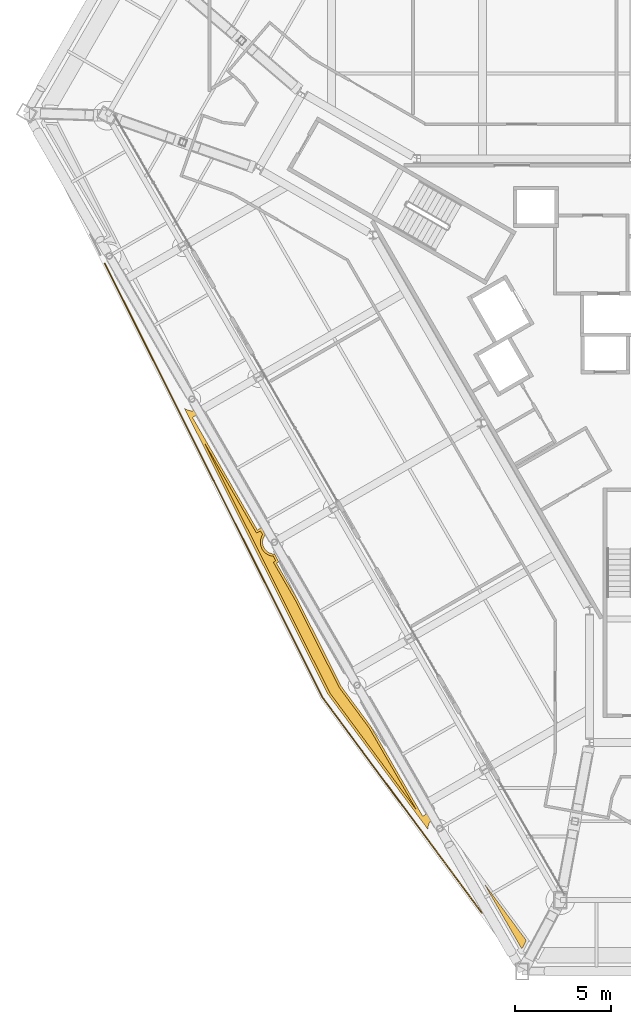
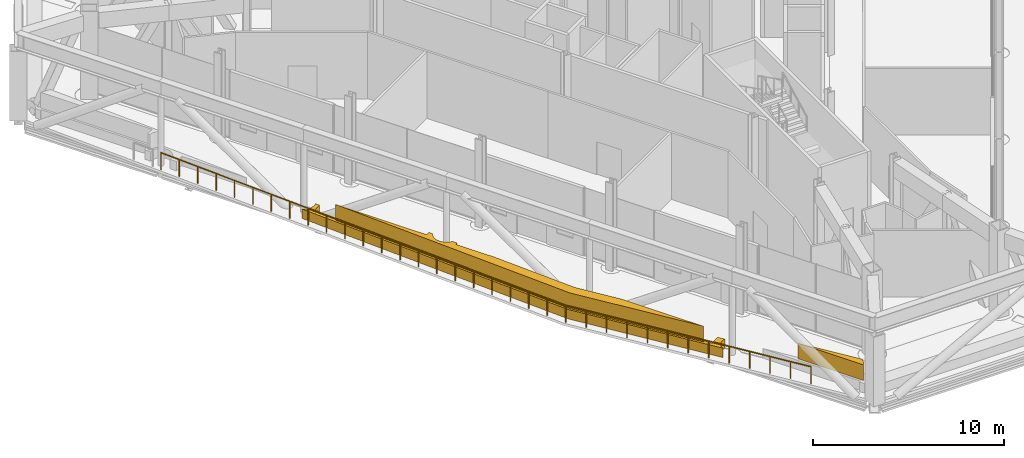
# One storey, part 21 of 26: 3 coverings, 1 railing.
"""IFC4 building model written with IfcOpenShell, lengths in metres."""

from ifc_helpers import new_model, si_unit, direction, frame, origin, origin_2d, place, context, subcontext, project, spatial, polyline, circle, outline, extrude, material, type_object, element, save


model = new_model("IFC4")

# Units and contexts
model_context = context("Model", 3, precision=1e-05, world=origin(), true_north=direction((0.0, 1.0)))
body_context = subcontext(model_context, "Body", "Model", "MODEL_VIEW")
ifc_project = project(units=[si_unit("LENGTHUNIT", "METRE"), si_unit("AREAUNIT", "SQUARE_METRE"), si_unit("VOLUMEUNIT", "CUBIC_METRE"), si_unit("PLANEANGLEUNIT", "RADIAN"), si_unit("MASSUNIT", "GRAM", prefix="KILO")], contexts=[model_context])

# Site, building, storey
site_placement = place(None, origin())
site = spatial("IfcSite", under=ifc_project, at=site_placement, CompositionType="ELEMENT")
building_placement = place(site_placement, origin())
building = spatial("IfcBuilding", under=site, at=building_placement, Name="Verrane Prism Tower", CompositionType="ELEMENT")
storey_placement = place(building_placement, frame((0.0, 0.0, 87.199951171875)))
storey = spatial("IfcBuildingStorey", under=building, at=storey_placement, Name="L20", CompositionType="ELEMENT", Elevation=87.199951171875)

# Coverings
ifc_material_1 = material(Name="Planting medium in stone kerb", Category="masonry")
covering_type_1 = type_object("IfcCoveringType", Name="Planter bed 600", PredefinedType="USERDEFINED", material=ifc_material_1)
covering_1_placement = place(storey_placement, origin())
element("IfcCovering", 1, at=covering_1_placement, inside=storey, type_object=covering_type_1, Name="Planter bed L20 5", ObjectType="PLANTER", PredefinedType="USERDEFINED", context=body_context, shape_type="SweptSolid", body=[
    extrude(outline(polyline([(-15.970703125, -18.77490234375), (-10.739501953125, -25.849609375), (-10.74267578125, -25.7900390625), (-10.739501953125, -25.72998046875), (-10.730712890625, -25.67041015625), (-10.71630859375, -25.6123046875), (-10.69580078125, -25.5556640625), (-10.670166015625, -25.501220703125), (-10.639404296875, -25.44970703125), (-10.603515625, -25.4013671875), (-10.56298828125, -25.35693359375), (-10.5185546875, -25.31640625), (-10.47021484375, -25.28076171875), (-10.418701171875, -25.249755859375), (-10.364501953125, -25.22412109375), (-10.307861328125, -25.203857421875), (-10.24951171875, -25.189208984375), (-10.234619140625, -25.18701171875), (-10.489013671875, -24.843017578125), (-11.01953125, -25.1494140625), (-13.72119140625, -20.4716796875), (-15.28662109375, -18.3544921875), (-17.535400390625, -13.87353515625), (-18.659423828125, -11.93017578125), (-18.544189453125, -11.863525390625), (-18.7509765625, -11.45166015625), (-18.77001953125, -11.45263671875), (-18.830078125, -11.44970703125), (-18.889404296875, -11.44091796875), (-18.94775390625, -11.42626953125), (-19.00439453125, -11.406005859375), (-19.058837890625, -11.380126953125), (-19.1103515625, -11.349365234375), (-19.15869140625, -11.3134765625), (-19.203125, -11.273193359375), (-19.243408203125, -11.228515625), (-19.279296875, -11.180419921875), (-19.310302734375, -11.12890625), (-19.3359375, -11.074462890625), (-19.356201171875, -11.017822265625), (-19.370849609375, -10.95947265625), (-19.379638671875, -10.89990234375), (-19.382568359375, -10.840087890625), (-19.379638671875, -10.780029296875), (-19.370849609375, -10.720458984375), (-19.356201171875, -10.662109375), (-19.3359375, -10.605712890625), (-19.310302734375, -10.55126953125), (-19.279296875, -10.499755859375), (-19.249267578125, -10.458984375), (-19.4423828125, -10.07421875), (-19.65869140625, -10.198974609375), (-23.04736328125, -4.318115234375), (-22.491943359375, -3.998046875), (-22.61328125, -3.756103515625), (-22.64697265625, -3.793212890625), (-22.69140625, -3.83349609375), (-22.73974609375, -3.869384765625), (-22.791259765625, -3.900146484375), (-22.845703125, -3.92578125), (-22.902099609375, -3.9462890625), (-22.96044921875, -3.960693359375), (-23.02001953125, -3.969482421875), (-23.080078125, -3.97265625), (-23.139892578125, -3.969482421875), (-23.199462890625, -3.960693359375), (-23.2578125, -3.9462890625), (-23.314453125, -3.92578125), (-23.368896484375, -3.900146484375), (-23.42041015625, -3.869384765625), (-23.47021484375, -3.83251953125), (-15.970703125, -18.77490234375)])), origin(), (0.0, 0.0, 1.0), 0.60009765625),
])
ifc_material_2 = material(Name="Planted shrubs and grasses", Category="other")
covering_type_2 = type_object("IfcCoveringType", Name="Planting mass 1000", PredefinedType="USERDEFINED", material=ifc_material_2)
covering_2_placement = place(storey_placement, frame((0.0, 0.0, 0.60009765625)))
element("IfcCovering", 2, at=covering_2_placement, inside=storey, type_object=covering_type_2, Name="Planting L20 3", ObjectType="PLANTING", PredefinedType="USERDEFINED", context=body_context, shape_type="SweptSolid", body=[
    extrude(outline(polyline([(-5.8388671875, -32.0869140625), (-5.60498046875, -31.64990234375), (-7.81640625, -28.658935546875), (-5.8388671875, -32.0869140625)])), origin(), (0.0, 0.0, 1.0), 1.0),
])
covering_3_placement = place(storey_placement, frame((0.0, 0.0, 0.60009765625)))
element("IfcCovering", 3, at=covering_3_placement, inside=storey, type_object=covering_type_2, Name="Planting L20 5", ObjectType="PLANTING", PredefinedType="USERDEFINED", context=body_context, shape_type="SweptSolid", body=[
    extrude(outline(polyline([(-15.867919921875, -18.7119140625), (-11.3369140625, -24.83984375), (-13.82177734375, -20.53759765625), (-15.38916015625, -18.417724609375), (-17.64111328125, -13.9306640625), (-18.823486328125, -11.88623046875), (-18.702392578125, -11.816162109375), (-18.825927734375, -11.570068359375), (-18.841796875, -11.569091796875), (-18.912841796875, -11.55859375), (-18.982666015625, -11.541259765625), (-19.05029296875, -11.516845703125), (-19.115478515625, -11.486083984375), (-19.177001953125, -11.44921875), (-19.23486328125, -11.406494140625), (-19.2880859375, -11.358154296875), (-19.33642578125, -11.3046875), (-19.379150390625, -11.2470703125), (-19.416259765625, -11.185302734375), (-19.447021484375, -11.120361328125), (-19.47119140625, -11.052734375), (-19.488525390625, -10.98291015625), (-19.499267578125, -10.911865234375), (-19.502685546875, -10.840087890625), (-19.499267578125, -10.768310546875), (-19.488525390625, -10.697021484375), (-19.47119140625, -10.627197265625), (-19.447021484375, -10.5595703125), (-19.416259765625, -10.49462890625), (-19.388671875, -10.44873046875), (-19.49267578125, -10.24169921875), (-19.702880859375, -10.36279296875), (-22.45947265625, -5.578857421875), (-15.867919921875, -18.7119140625)])), origin(), (0.0, 0.0, 1.0), 1.0),
])

# Railing
ifc_material_3 = material(Name="Stainless steel and laminated glass", Category="steel")
railing_type = type_object("IfcRailingType", Name="Terrace guard 1100", PredefinedType="GUARDRAIL", material=ifc_material_3)
railing_placement = place(storey_placement, frame((-27.629150390625, 3.71875, 0.0)))
element("IfcRailing", 4, at=railing_placement, inside=storey, type_object=railing_type, Name="Terrace guard L20 4", PredefinedType="GUARDRAIL", context=body_context, shape_type="SweptSolid", body=[
    extrude(circle(Radius=0.02392578125, at=origin_2d()), frame((0.0, 0.0, 1.076171875), z_axis=(0.448556922884, -0.893754265407, 0.0), x_axis=(0.893754265407, 0.448556922884, 0.0)), (0.0, 0.0, 1.0), 25.36181640625),
    extrude(circle(Radius=0.02392578125, at=origin_2d()), frame((11.376220703125, -22.667236328125, 1.076171875), z_axis=(0.594552324456, -0.804056921793, 0.0), x_axis=(0.804056921793, 0.594552324456, 0.0)), (0.0, 0.0, 1.0), 14.003662109375),
    extrude(circle(Radius=0.02099609375, at=origin_2d()), origin(), (0.0, 0.0, 1.0), 1.052001953125),
    extrude(circle(Radius=0.02099609375, at=origin_2d()), frame((0.51708984375, -1.0302734375, 0.0)), (0.0, 0.0, 1.0), 1.052001953125),
    extrude(circle(Radius=0.02099609375, at=origin_2d()), frame((1.0341796875, -2.060546875, 0.0)), (0.0, 0.0, 1.0), 1.052001953125),
    extrude(circle(Radius=0.02099609375, at=origin_2d()), frame((1.55126953125, -3.091064453125, 0.0)), (0.0, 0.0, 1.0), 1.052001953125),
    extrude(circle(Radius=0.02099609375, at=origin_2d()), frame((2.068359375, -4.121337890625, 0.0)), (0.0, 0.0, 1.0), 1.052001953125),
    extrude(circle(Radius=0.02099609375, at=origin_2d()), frame((2.58544921875, -5.151611328125, 0.0)), (0.0, 0.0, 1.0), 1.052001953125),
    extrude(circle(Radius=0.02099609375, at=origin_2d()), frame((3.1025390625, -6.181884765625, 0.0)), (0.0, 0.0, 1.0), 1.052001953125),
    extrude(circle(Radius=0.02099609375, at=origin_2d()), frame((3.61962890625, -7.21240234375, 0.0)), (0.0, 0.0, 1.0), 1.052001953125),
    extrude(circle(Radius=0.02099609375, at=origin_2d()), frame((4.13671875, -8.24267578125, 0.0)), (0.0, 0.0, 1.0), 1.052001953125),
    extrude(circle(Radius=0.02099609375, at=origin_2d()), frame((4.65380859375, -9.27294921875, 0.0)), (0.0, 0.0, 1.0), 1.052001953125),
    extrude(circle(Radius=0.02099609375, at=origin_2d()), frame((5.1708984375, -10.30322265625, 0.0)), (0.0, 0.0, 1.0), 1.052001953125),
    extrude(circle(Radius=0.02099609375, at=origin_2d()), frame((5.68798828125, -11.33349609375, 0.0)), (0.0, 0.0, 1.0), 1.052001953125),
    extrude(circle(Radius=0.02099609375, at=origin_2d()), frame((6.205322265625, -12.364013671875, 0.0)), (0.0, 0.0, 1.0), 1.052001953125),
    extrude(circle(Radius=0.02099609375, at=origin_2d()), frame((6.722412109375, -13.394287109375, 0.0)), (0.0, 0.0, 1.0), 1.052001953125),
    extrude(circle(Radius=0.02099609375, at=origin_2d()), frame((7.239501953125, -14.424560546875, 0.0)), (0.0, 0.0, 1.0), 1.052001953125),
    extrude(circle(Radius=0.02099609375, at=origin_2d()), frame((7.756591796875, -15.454833984375, 0.0)), (0.0, 0.0, 1.0), 1.052001953125),
    extrude(circle(Radius=0.02099609375, at=origin_2d()), frame((8.273681640625, -16.4853515625, 0.0)), (0.0, 0.0, 1.0), 1.052001953125),
    extrude(circle(Radius=0.02099609375, at=origin_2d()), frame((8.790771484375, -17.515625, 0.0)), (0.0, 0.0, 1.0), 1.052001953125),
    extrude(circle(Radius=0.02099609375, at=origin_2d()), frame((9.307861328125, -18.5458984375, 0.0)), (0.0, 0.0, 1.0), 1.052001953125),
    extrude(circle(Radius=0.02099609375, at=origin_2d()), frame((9.824951171875, -19.576171875, 0.0)), (0.0, 0.0, 1.0), 1.052001953125),
    extrude(circle(Radius=0.02099609375, at=origin_2d()), frame((10.342041015625, -20.606689453125, 0.0)), (0.0, 0.0, 1.0), 1.052001953125),
    extrude(circle(Radius=0.02099609375, at=origin_2d()), frame((10.859130859375, -21.636962890625, 0.0)), (0.0, 0.0, 1.0), 1.052001953125),
    extrude(circle(Radius=0.02099609375, at=origin_2d()), frame((11.376220703125, -22.667236328125, 0.0)), (0.0, 0.0, 1.0), 1.052001953125),
    extrude(circle(Radius=0.02099609375, at=origin_2d()), frame((12.070068359375, -23.60546875, 0.0)), (0.0, 0.0, 1.0), 1.052001953125),
    extrude(circle(Radius=0.02099609375, at=origin_2d()), frame((12.763916015625, -24.5439453125, 0.0)), (0.0, 0.0, 1.0), 1.052001953125),
    extrude(circle(Radius=0.02099609375, at=origin_2d()), frame((13.457763671875, -25.482177734375, 0.0)), (0.0, 0.0, 1.0), 1.052001953125),
    extrude(circle(Radius=0.02099609375, at=origin_2d()), frame((14.151611328125, -26.42041015625, 0.0)), (0.0, 0.0, 1.0), 1.052001953125),
    extrude(circle(Radius=0.02099609375, at=origin_2d()), frame((14.845458984375, -27.35888671875, 0.0)), (0.0, 0.0, 1.0), 1.052001953125),
    extrude(circle(Radius=0.02099609375, at=origin_2d()), frame((15.5390625, -28.297119140625, 0.0)), (0.0, 0.0, 1.0), 1.052001953125),
    extrude(circle(Radius=0.02099609375, at=origin_2d()), frame((16.23291015625, -29.2353515625, 0.0)), (0.0, 0.0, 1.0), 1.052001953125),
    extrude(circle(Radius=0.02099609375, at=origin_2d()), frame((16.9267578125, -30.173828125, 0.0)), (0.0, 0.0, 1.0), 1.052001953125),
    extrude(circle(Radius=0.02099609375, at=origin_2d()), frame((17.62060546875, -31.112060546875, 0.0)), (0.0, 0.0, 1.0), 1.052001953125),
    extrude(circle(Radius=0.02099609375, at=origin_2d()), frame((18.314453125, -32.05029296875, 0.0)), (0.0, 0.0, 1.0), 1.052001953125),
    extrude(circle(Radius=0.02099609375, at=origin_2d()), frame((19.00830078125, -32.98876953125, 0.0)), (0.0, 0.0, 1.0), 1.052001953125),
    extrude(circle(Radius=0.02099609375, at=origin_2d()), frame((19.7021484375, -33.927001953125, 0.0)), (0.0, 0.0, 1.0), 1.052001953125),
])

save(model, "model.ifc")
